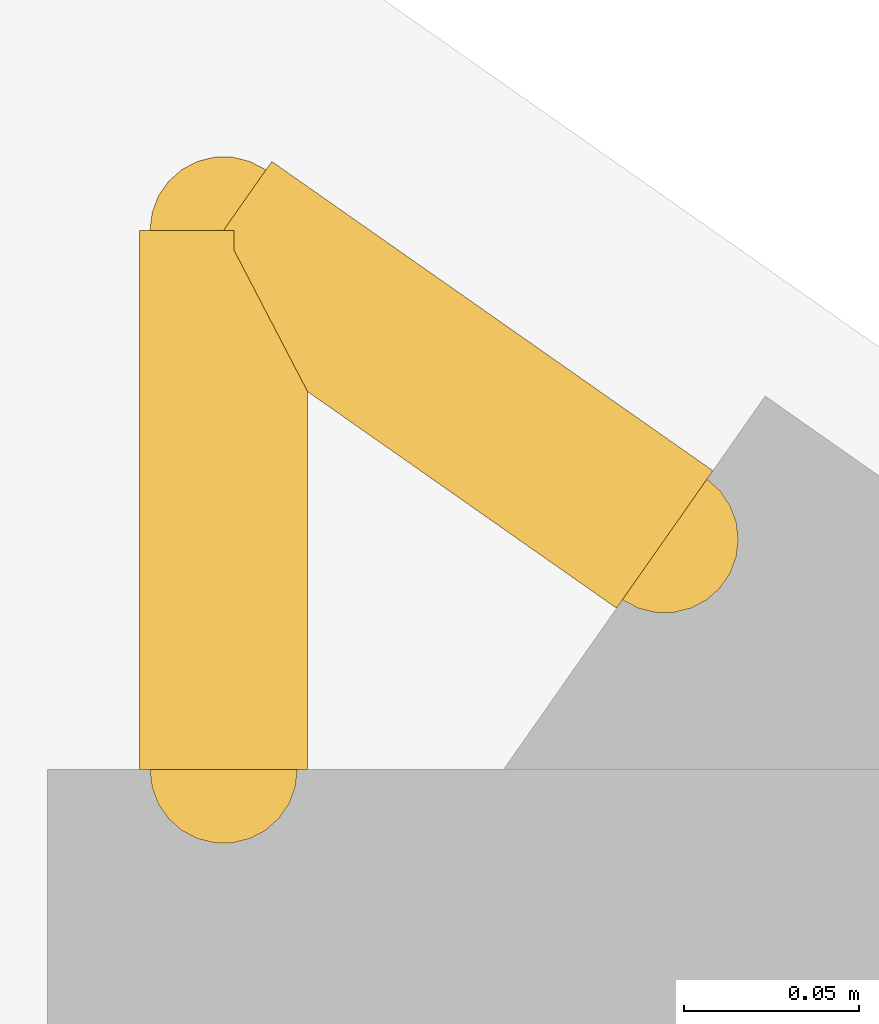
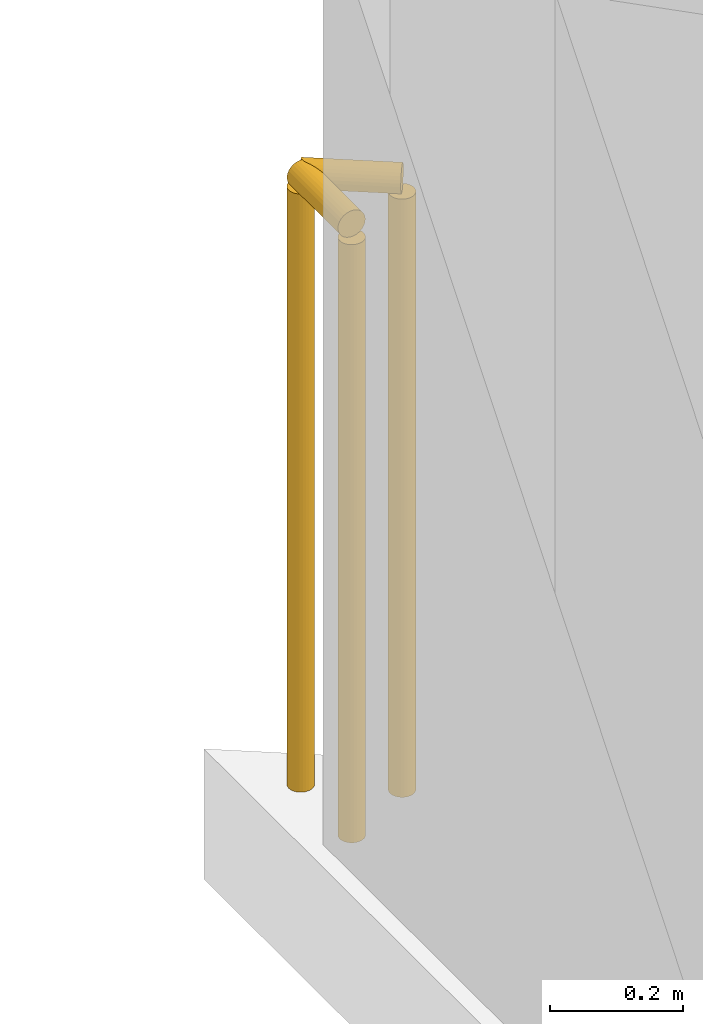
# One storey, part 15 of 15: 2 railings.
"""IFC4 building model written with IfcOpenShell, lengths in metres."""

from ifc_helpers import new_model, si_unit, direction, frame, origin, origin_2d, place, context, subcontext, project, spatial, circle, extrude, material, type_object, element, save


model = new_model("IFC4")

# Units and contexts
model_context = context("Model", 3, precision=1e-05, world=origin(), true_north=direction((0.0, 1.0)))
body_context = subcontext(model_context, "Body", "Model", "MODEL_VIEW")
ifc_project = project(units=[si_unit("LENGTHUNIT", "METRE"), si_unit("AREAUNIT", "SQUARE_METRE"), si_unit("VOLUMEUNIT", "CUBIC_METRE"), si_unit("PLANEANGLEUNIT", "RADIAN"), si_unit("MASSUNIT", "GRAM", prefix="KILO")], contexts=[model_context])

# Site, building, storey
site_placement = place(None, origin())
site = spatial("IfcSite", under=ifc_project, at=site_placement, CompositionType="ELEMENT")
building_placement = place(site_placement, origin())
building = spatial("IfcBuilding", under=site, at=building_placement, Name="Varnakote Quay Hospital", CompositionType="ELEMENT")
storey_placement = place(building_placement, frame((0.0, 0.0, 192.10009765625)))
storey = spatial("IfcBuildingStorey", under=building, at=storey_placement, Name="L47", CompositionType="ELEMENT", Elevation=192.10009765625)

# Railings
ifc_material = material(Name="Anodised aluminium 6063-T6 Bronze", Category="aluminium")
railing_type = type_object("IfcRailingType", Name="RLG-EXT-GUARD-1150", PredefinedType="GUARDRAIL", material=ifc_material)
railing_1_placement = place(storey_placement, frame((2.580078125, 42.492431640625, 0.0)))
element("IfcRailing", 1, at=railing_1_placement, inside=storey, type_object=railing_type, Name="L47 Slab Edge Perimeter Safety Guard", PredefinedType="GUARDRAIL", context=body_context, shape_type="SweptSolid", body=[
    extrude(circle(Radius=0.02392578125, at=origin_2d()), frame((0.0, 0.0, 1.1259765625), z_axis=(0.0, 1.0, 0.0), x_axis=(-1.0, 0.0, 0.0)), (0.0, 0.0, 1.0), 0.15380859375),
    extrude(circle(Radius=0.02099609375, at=origin_2d()), origin(), (0.0, 0.0, 1.0), 1.101806640625),
    extrude(circle(Radius=0.02099609375, at=origin_2d()), frame((0.0, 0.15380859375, 0.0)), (0.0, 0.0, 1.0), 1.101806640625),
])
railing_2_placement = place(storey_placement, frame((2.580078125, 42.646240234375, 0.0)))
element("IfcRailing", 2, at=railing_2_placement, inside=storey, type_object=railing_type, Name="L47 Slab Edge Perimeter Safety Guard", PredefinedType="GUARDRAIL", context=body_context, shape_type="SweptSolid", body=[
    extrude(circle(Radius=0.02392578125, at=origin_2d()), frame((0.0, 0.0, 1.1259765625), z_axis=(0.818858253068, -0.57399578516, 0.0), x_axis=(0.57399578516, 0.818858253068, 0.0)), (0.0, 0.0, 1.0), 0.153564453125),
    extrude(circle(Radius=0.02099609375, at=origin_2d()), origin(), (0.0, 0.0, 1.0), 1.101806640625),
    extrude(circle(Radius=0.02099609375, at=origin_2d()), frame((0.125732421875, -0.088134765625, 0.0)), (0.0, 0.0, 1.0), 1.101806640625),
])

save(model, "model.ifc")
